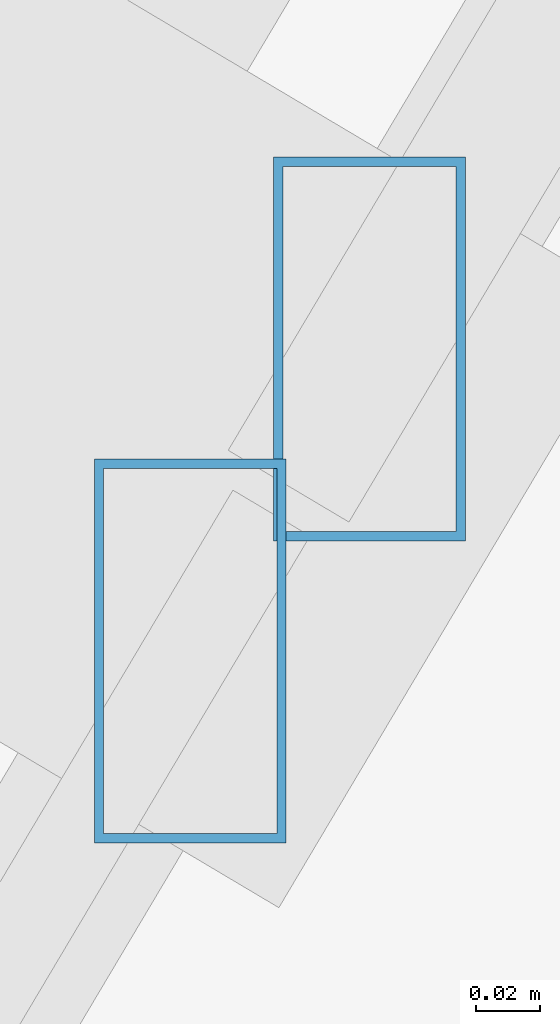
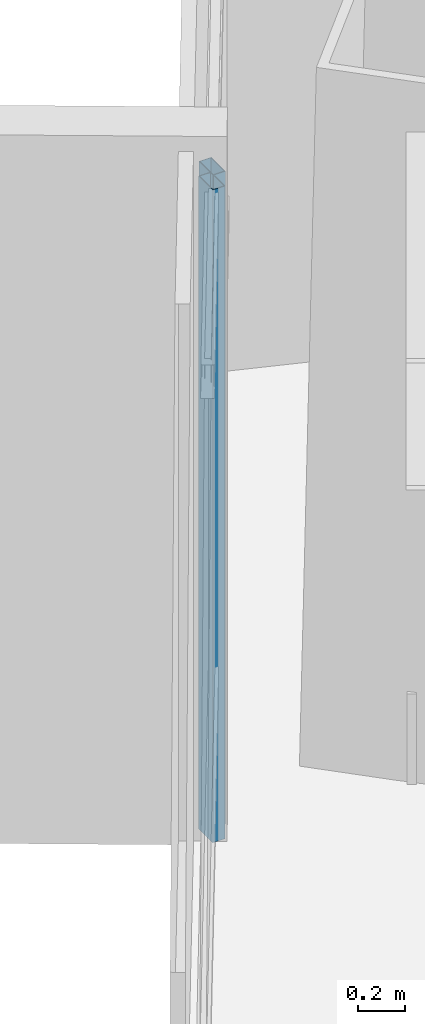
# One storey, part 15 of 49: 2 members, 2 elements without a shape of their own.
"""IFC4 building model written with IfcOpenShell, lengths in metres."""

import ifcopenshell
import ifcopenshell.guid

model = None  # the IFC model being written
_history = None  # IfcOwnerHistory: only IFC2X3 demands one
_inside = {}  # id of a spatial element -> (the spatial element, [elements in it])
_under = {}  # id of a project, library or spatial element -> (it, [spatial elements below it])
_declared = {}  # id of a project -> (the project, [libraries it declares])
_typed = {}  # id of a type object -> (the type object, [elements of that type])
_made_of = {}  # id of a material, layer set ... -> (it, [elements and type objects made of it])


def new_model(schema):
    """Start an empty IFC model of exactly this schema.

    Asked for "IFC4X3", IfcOpenShell would pick the latest addendum, in which some entities
    have other attributes; the version numbers below select the first issue.
    IFC2X3 requires an IfcOwnerHistory on every rooted entity: one is made here for all.
    """
    global model, _history
    if schema == "IFC4X3":
        model = ifcopenshell.file(schema_version=(4, 3, 0, 0))
    else:
        model = ifcopenshell.file(schema=schema)
    _inside.clear()
    _under.clear()
    _declared.clear()
    _typed.clear()
    _made_of.clear()
    _history = None
    if model.schema == "IFC2X3":
        org = make("IfcOrganization", Name="unknown")
        user = make(
            "IfcPersonAndOrganization",
            ThePerson=make("IfcPerson", FamilyName="unknown"),
            TheOrganization=org,
        )
        app = make(
            "IfcApplication",
            ApplicationDeveloper=org,
            Version="unknown",
            ApplicationFullName="unknown",
            ApplicationIdentifier="unknown",
        )
        _history = make(
            "IfcOwnerHistory",
            OwningUser=user,
            OwningApplication=app,
            ChangeAction="ADDED",
            CreationDate=0,
        )
    return model


def make(cls, **values):
    """One entity of the class cls with the attributes given. An attribute that is None is left unset."""
    return model.create_entity(
        cls, **{name: value for name, value in values.items() if value is not None}
    )


def rooted(cls, **values):
    """An entity with a GlobalId (a new one), such as an element, a storey or a relation."""
    return make(cls, GlobalId=ifcopenshell.guid.new(), OwnerHistory=_history, **values)


def si_unit(unit_type, name, prefix=None):
    """IfcSIUnit, for example si_unit("LENGTHUNIT", "METRE", prefix="MILLI")."""
    return make("IfcSIUnit", UnitType=unit_type, Prefix=prefix, Name=name)


def assignment(units):
    """IfcUnitAssignment: the units of a project."""
    return None if units is None else make("IfcUnitAssignment", Units=units)


def point(xyz):
    """IfcCartesianPoint."""
    return None if xyz is None else make("IfcCartesianPoint", Coordinates=xyz)


def direction(xyz):
    """IfcDirection."""
    return None if xyz is None else make("IfcDirection", DirectionRatios=xyz)


def frame(location, z_axis=None, x_axis=None):
    """IfcAxis2Placement3D, a coordinate frame: its origin and axes. An axis left out is left unset."""
    return make(
        "IfcAxis2Placement3D",
        Location=point(location),
        Axis=direction(z_axis),
        RefDirection=direction(x_axis),
    )


def frame_2d(location, x_axis=None):
    """IfcAxis2Placement2D, a coordinate frame in the plane: its origin and x axis."""
    return make(
        "IfcAxis2Placement2D", Location=point(location), RefDirection=direction(x_axis)
    )


def origin():
    """The frame at (0, 0, 0) with its axes left unset."""
    return frame((0.0, 0.0, 0.0))


def origin_2d():
    """The frame at (0, 0) in the plane with its x axis left unset."""
    return frame_2d((0.0, 0.0))


def place(relative_to, where):
    """IfcLocalPlacement: puts the frame where relative to a parent placement (None: the world)."""
    return make(
        "IfcLocalPlacement", PlacementRelTo=relative_to, RelativePlacement=where
    )


def context(
    kind, dimensions, precision=None, world=None, true_north=None, identifier=None
):
    """IfcGeometricRepresentationContext, for example the 3D "Model" context."""
    return make(
        "IfcGeometricRepresentationContext",
        ContextIdentifier=identifier,
        ContextType=kind,
        CoordinateSpaceDimension=dimensions,
        Precision=precision,
        WorldCoordinateSystem=world,
        TrueNorth=true_north,
    )


def subcontext(parent, identifier, kind, view, scale=None):
    """IfcGeometricRepresentationSubContext, for example "Body" below "Model"."""
    return make(
        "IfcGeometricRepresentationSubContext",
        ContextIdentifier=identifier,
        ContextType=kind,
        ParentContext=parent,
        TargetScale=scale,
        TargetView=view,
    )


def project(units=None, contexts=None):
    """IfcProject with its units and contexts."""
    return rooted(
        "IfcProject",
        Name="project",
        RepresentationContexts=contexts,
        UnitsInContext=assignment(units),
    )


def spatial(cls, under=None, at=None, **own):
    """A site, building, storey or space (cls), placed at a placement, below another one or the project."""
    s = rooted(cls, ObjectPlacement=at, **own)
    if under is not None:
        _under.setdefault(under.id(), (under, []))[1].append(s)
    return s


def profile(cls, at=None, kind="AREA", **sizes):
    """A parametric profile (cls). Its sizes go by their IFC names, for example OverallWidth=200.0."""
    return make(cls, ProfileType=kind, Position=at, **sizes)


def hollow_rectangle(**sizes):
    """IfcRectangleHollowProfileDef."""
    return profile("IfcRectangleHollowProfileDef", **sizes)


def extrude(swept, where, along, depth):
    """IfcExtrudedAreaSolid: the profile swept, set in the frame where, extruded along a direction by depth."""
    return make(
        "IfcExtrudedAreaSolid",
        SweptArea=swept,
        Position=where,
        ExtrudedDirection=direction(along),
        Depth=depth,
    )


def shape(context_of_items, identifier, shape_type, items):
    """IfcShapeRepresentation: the items that make up one representation, for example the "Body"."""
    return make(
        "IfcShapeRepresentation",
        ContextOfItems=context_of_items,
        RepresentationIdentifier=identifier,
        RepresentationType=shape_type,
        Items=items,
    )


def source(mapping_origin, context_of_items, identifier, shape_type, items):
    """IfcRepresentationMap: a shape defined once, which mapped items show again and again."""
    return make(
        "IfcRepresentationMap",
        MappingOrigin=mapping_origin,
        MappedRepresentation=shape(context_of_items, identifier, shape_type, items),
    )


def transform(
    local_origin,
    x_axis=None,
    y_axis=None,
    z_axis=None,
    scale=None,
    scale2=None,
    scale3=None,
    uniform=True,
):
    """IfcCartesianTransformationOperator3D, or its non-uniform kind. x_axis, y_axis, z_axis: its Axis1, 2, 3."""
    if uniform:
        return make(
            "IfcCartesianTransformationOperator3D",
            Axis1=direction(x_axis),
            Axis2=direction(y_axis),
            LocalOrigin=point(local_origin),
            Scale=scale,
            Axis3=direction(z_axis),
        )
    return make(
        "IfcCartesianTransformationOperator3DnonUniform",
        Axis1=direction(x_axis),
        Axis2=direction(y_axis),
        LocalOrigin=point(local_origin),
        Scale=scale,
        Axis3=direction(z_axis),
        Scale2=scale2,
        Scale3=scale3,
    )


def mapped(mapping_source, mapping_target):
    """IfcMappedItem: shows the shape of a source again, moved by a transform."""
    return make(
        "IfcMappedItem", MappingSource=mapping_source, MappingTarget=mapping_target
    )


def material(Name=None, Category=None):
    """IfcMaterial."""
    return make("IfcMaterial", Name=Name, Category=Category)


def material_profile(
    of_material, cross_section, Name=None, Category=None, Priority=None
):
    """IfcMaterialProfile: a cross section and its material."""
    return make(
        "IfcMaterialProfile",
        Name=Name,
        Material=of_material,
        Profile=cross_section,
        Priority=Priority,
        Category=Category,
    )


def profile_set(profiles, Name=None, composite=None):
    """IfcMaterialProfileSet."""
    return make(
        "IfcMaterialProfileSet",
        Name=Name,
        MaterialProfiles=profiles,
        CompositeProfile=composite,
    )


def made_of(thing, what):
    """Note that an element or type object is made of a material, layer set ...; save() writes the relation."""
    if what is not None:
        _made_of.setdefault(what.id(), (what, []))[1].append(thing)
    return thing


def type_object(cls, material=None, **own):
    """A type object (cls), such as IfcWallType, which elements share."""
    return made_of(rooted(cls, **own), material)


def type_shapes(of_type, sources):
    """Give a type object the sources (RepresentationMaps) that its elements show as mapped items."""
    of_type.RepresentationMaps = sources


def element(
    cls,
    number,
    at=None,
    inside=None,
    cuts=None,
    type_object=None,
    material=None,
    context=None,
    identifier="Body",
    shape_type=None,
    held_by="IfcProductDefinitionShape",
    body=None,
    shapes=None,
    **own,
):
    """One element of the class cls, such as IfcWall. Its Tag is "e" and its number.

    at: its placement. inside: the storey or other place that contains it. cuts: it is an
    opening in that element (IfcRelVoidsElement). A single representation is given by context,
    identifier, shape_type and body (its items); several are given by shapes. held_by: the class
    of the entity that holds the representations. save() writes the other relations.
    """
    e = rooted(cls, Tag="e%d" % number, ObjectPlacement=at, **own)
    if body is not None:
        shapes = [shape(context, identifier, shape_type, body)]
    if shapes is not None:
        e.Representation = make(held_by, Representations=shapes)
    if inside is not None:
        _inside.setdefault(inside.id(), (inside, []))[1].append(e)
    if cuts is not None:
        rooted(
            "IfcRelVoidsElement", RelatingBuildingElement=cuts, RelatedOpeningElement=e
        )
    if type_object is not None:
        _typed.setdefault(type_object.id(), (type_object, []))[1].append(e)
    return made_of(e, material)


def aggregate(whole, parts):
    """IfcRelAggregates: a whole, such as a stair, and the parts it consists of."""
    return rooted("IfcRelAggregates", RelatingObject=whole, RelatedObjects=parts)


def save(model, path):
    """Write the relations noted so far, then the file.

    IfcRelAggregates (storeys below a building ...), IfcRelContainedInSpatialStructure (elements
    in a storey), IfcRelDefinesByType, IfcRelAssociatesMaterial and IfcRelDeclares: one each for
    every whole, place, type object, material and project.
    """
    for whole, parts in _under.values():
        aggregate(whole, parts)
    for where, things in _inside.values():
        rooted(
            "IfcRelContainedInSpatialStructure",
            RelatedElements=things,
            RelatingStructure=where,
        )
    for kind, things in _typed.values():
        rooted("IfcRelDefinesByType", RelatedObjects=things, RelatingType=kind)
    for what, things in _made_of.values():
        rooted("IfcRelAssociatesMaterial", RelatedObjects=things, RelatingMaterial=what)
    for by, libraries in _declared.values():
        rooted("IfcRelDeclares", RelatingContext=by, RelatedDefinitions=libraries)
    model.write(path)


model = new_model("IFC4")

# Units and contexts
model_context = context("Model", 3, precision=1e-05, world=origin(), true_north=direction((0.0, 1.0)))
body_context = subcontext(model_context, "Body", "Model", "MODEL_VIEW")
ifc_project = project(units=[si_unit("LENGTHUNIT", "METRE"), si_unit("AREAUNIT", "SQUARE_METRE"), si_unit("VOLUMEUNIT", "CUBIC_METRE"), si_unit("PLANEANGLEUNIT", "RADIAN"), si_unit("MASSUNIT", "GRAM", prefix="KILO")], contexts=[model_context])

# Site, building, storey
site_placement = place(None, origin())
site = spatial("IfcSite", under=ifc_project, at=site_placement, CompositionType="ELEMENT")
building_placement = place(site_placement, origin())
building = spatial("IfcBuilding", under=site, at=building_placement, Name="Caelisora Broadcast Tower", CompositionType="ELEMENT")
storey_placement = place(building_placement, frame((0.0, 0.0, 233.5)))
storey = spatial("IfcBuildingStorey", under=building, at=storey_placement, Name="L61", CompositionType="ELEMENT", Elevation=233.5)

# Curtain wall, member
ifc_material_1 = material(Name="Unitised Aluminium and Low-E Glass Curtain Wall", Category="glass")
curtain_wall_type_1 = type_object("IfcCurtainWallType", Name="CW-Z5", PredefinedType="NOTDEFINED", material=ifc_material_1)
curtain_wall_1_placement = place(storey_placement, origin())
curtain_wall_1 = element("IfcCurtainWall", 1, at=curtain_wall_1_placement, inside=storey, type_object=curtain_wall_type_1, Name="L61 curtain wall CW-Z5", PredefinedType="NOTDEFINED")
ifc_material_2 = material(Name="Aluminium 6063-T6 Anodised Terracotta Bronze", Category="aluminium")
ifc_material_profile = material_profile(ifc_material_2, hollow_rectangle(XDim=0.06005859375, YDim=0.1201171875, WallThickness=0.0029296875, at=origin_2d()), Name="Aluminium 6063-T6 Anodised Terracotta Bronze")
ifc_profile_set = profile_set([ifc_material_profile], Name="Aluminium 6063-T6 Anodised Terracotta Bronze")
member_type = type_object("IfcMemberType", Name="CWM-04", PredefinedType="MULLION", material=ifc_profile_set)
shared_shape = source(origin(), body_context, "Body", "SweptSolid", [
    extrude(hollow_rectangle(XDim=0.06005859375, YDim=0.1201171875, WallThickness=0.0029296875, at=origin_2d()), origin(), (0.0, 0.0, 1.0), 3.39990234375),
])
type_shapes(member_type, [shared_shape])
member_1_placement = place(storey_placement, frame((20.868408203125, 26.2744140625, 0.0), z_axis=(0.0, 0.0, 1.0), x_axis=(1.0, 0.0, 0.0)))
member_1 = element("IfcMember", 2, at=member_1_placement, type_object=member_type, Name="L61-CW-B09 mullion #3", PredefinedType="MULLION", context=body_context, shape_type="MappedRepresentation", body=[
    mapped(shared_shape, transform((0.0, 0.0, 0.0), scale=1.0)),
])
aggregate(curtain_wall_1, [member_1])

ifc_material_3 = material(Name="Unitised Aluminium Insulated Shadow-Box Spandrel Curtain Wall", Category="aluminium")
curtain_wall_type_2 = type_object("IfcCurtainWallType", Name="CW-SP3", PredefinedType="NOTDEFINED", material=ifc_material_3)
curtain_wall_2_placement = place(storey_placement, origin())
curtain_wall_2 = element("IfcCurtainWall", 3, at=curtain_wall_2_placement, inside=storey, type_object=curtain_wall_type_2, Name="L61 curtain wall CW-SP3", PredefinedType="NOTDEFINED")
member_2_placement = place(storey_placement, frame((20.924560546875, 26.368896484375, 0.0), z_axis=(0.0, 0.0, 1.0), x_axis=(1.0, 0.0, 0.0)))
member_2 = element("IfcMember", 4, at=member_2_placement, type_object=member_type, Name="L61-CW-B10 mullion #0", PredefinedType="MULLION", context=body_context, shape_type="MappedRepresentation", body=[
    mapped(shared_shape, transform((0.0, 0.0, 0.0), scale=1.0)),
])
aggregate(curtain_wall_2, [member_2])

save(model, "model.ifc")
